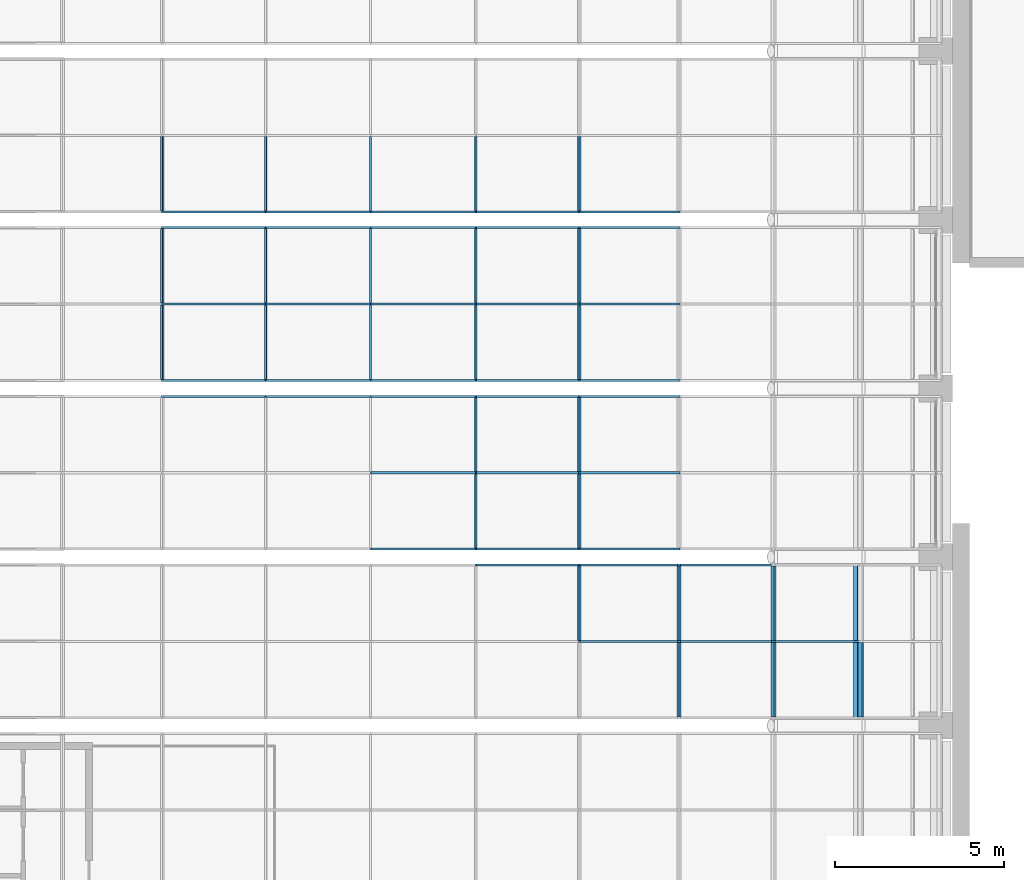
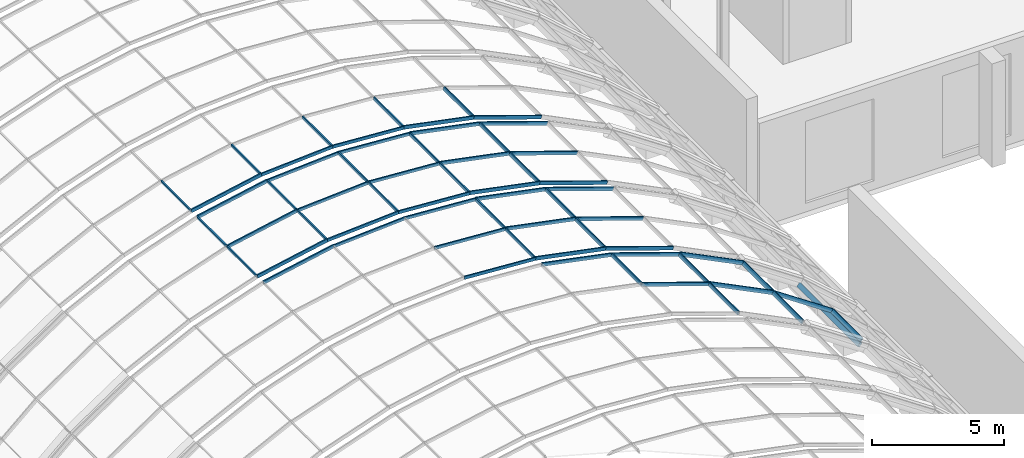
# One storey, part 55 of 182: 63 members, 4 elements without a shape of their own.
"""IFC4 building model written with IfcOpenShell, lengths in metres."""

from ifc_helpers import new_model, si_unit, direction, frame, origin, origin_2d, place, context, subcontext, project, spatial, rectangle, hollow_rectangle, extrude, material, material_profile, profile_set, type_object, element, aggregate, save


model = new_model("IFC4")

# Units and contexts
model_context = context("Model", 3, precision=1e-05, world=origin(), true_north=direction((0.0, 1.0)))
body_context = subcontext(model_context, "Body", "Model", "MODEL_VIEW")
ifc_project = project(units=[si_unit("LENGTHUNIT", "METRE"), si_unit("AREAUNIT", "SQUARE_METRE"), si_unit("VOLUMEUNIT", "CUBIC_METRE"), si_unit("PLANEANGLEUNIT", "RADIAN"), si_unit("MASSUNIT", "GRAM", prefix="KILO")], contexts=[model_context])

# Site, building, storey
site_placement = place(None, origin())
site = spatial("IfcSite", under=ifc_project, at=site_placement, CompositionType="ELEMENT")
building_placement = place(site_placement, origin())
building = spatial("IfcBuilding", under=site, at=building_placement, Name="Okhra Congress Centre", CompositionType="ELEMENT")
storey_placement = place(building_placement, frame((0.0, 0.0, 7.199951171875)))
storey = spatial("IfcBuildingStorey", under=building, at=storey_placement, Name="L01", CompositionType="ELEMENT", Elevation=7.199951171875)

# Curtain wall, members
ifc_material_1 = material(Name="Aluminium frame with triple glazing", Category="aluminium")
curtain_wall_type = type_object("IfcCurtainWallType", Name="Glazed vault bay curtain wall", PredefinedType="NOTDEFINED", material=ifc_material_1)
curtain_wall_1_placement = place(storey_placement, origin())
curtain_wall_1 = element("IfcCurtainWall", 1, at=curtain_wall_1_placement, inside=storey, type_object=curtain_wall_type, Name="Vault glazing bay 14", PredefinedType="NOTDEFINED")
ifc_material_2 = material(Name="Aluminium alloy 6063", Category="aluminium")
ifc_material_profile_1 = material_profile(ifc_material_2, rectangle(XDim=0.06005859375, YDim=0.139892578125, at=origin_2d()), Name="AL 60x140")
ifc_profile_set_1 = profile_set([ifc_material_profile_1], Name="Aluminium alloy 6063")
member_type_1 = type_object("IfcMemberType", Name="Aluminium mullion 60x140", PredefinedType="MULLION", material=ifc_profile_set_1)
member_1_placement = place(storey_placement, frame((172.25, 141.233154296875, 8.945068359375), z_axis=(0.997826129775, 0.0, -0.065901553385), x_axis=(0.0, 1.0, 0.0)))
member_1 = element("IfcMember", 2, at=member_1_placement, type_object=member_type_1, Name="Vault mullion 14.1.7", PredefinedType="MULLION", context=body_context, shape_type="SweptSolid", body=[
    extrude(rectangle(XDim=0.06005859375, YDim=0.139892578125, at=origin_2d()), origin(), (0.0, 0.0, 1.0), 3.123046875),
])
member_2_placement = place(storey_placement, frame((172.25, 143.5, 8.945068359375), z_axis=(0.997826129775, 0.0, -0.065901553385), x_axis=(0.0, 1.0, 0.0)))
member_2 = element("IfcMember", 3, at=member_2_placement, type_object=member_type_1, Name="Vault mullion 14.2.7", PredefinedType="MULLION", context=body_context, shape_type="SweptSolid", body=[
    extrude(rectangle(XDim=0.06005859375, YDim=0.139892578125, at=origin_2d()), origin(), (0.0, 0.0, 1.0), 3.123046875),
])
member_3_placement = place(storey_placement, frame((169.1337890625, 145.766845703125, 8.7392578125), z_axis=(0.997826129775, 0.0, 0.065901553385), x_axis=(0.0, 1.0, 0.0)))
member_3 = element("IfcMember", 4, at=member_3_placement, type_object=member_type_1, Name="Vault mullion 14.3.6", PredefinedType="MULLION", context=body_context, shape_type="SweptSolid", body=[
    extrude(rectangle(XDim=0.06005859375, YDim=0.139892578125, at=origin_2d()), origin(), (0.0, 0.0, 1.0), 3.123046875),
])
member_4_placement = place(storey_placement, frame((172.25, 145.766845703125, 8.945068359375), z_axis=(0.997826129775, 0.0, -0.065901553385), x_axis=(0.0, 1.0, 0.0)))
member_4 = element("IfcMember", 5, at=member_4_placement, type_object=member_type_1, Name="Vault mullion 14.3.7", PredefinedType="MULLION", context=body_context, shape_type="SweptSolid", body=[
    extrude(rectangle(XDim=0.06005859375, YDim=0.139892578125, at=origin_2d()), origin(), (0.0, 0.0, 1.0), 3.123046875),
])

curtain_wall_2_placement = place(storey_placement, origin())
curtain_wall_2 = element("IfcCurtainWall", 6, at=curtain_wall_2_placement, inside=storey, type_object=curtain_wall_type, Name="Vault glazing bay 15", PredefinedType="NOTDEFINED")
member_5_placement = place(storey_placement, frame((169.1337890625, 146.233154296875, 8.7392578125), z_axis=(0.997826129775, 0.0, 0.065901553385), x_axis=(0.0, 1.0, 0.0)))
member_5 = element("IfcMember", 7, at=member_5_placement, type_object=member_type_1, Name="Vault mullion 15.1.6", PredefinedType="MULLION", context=body_context, shape_type="SweptSolid", body=[
    extrude(rectangle(XDim=0.06005859375, YDim=0.139892578125, at=origin_2d()), origin(), (0.0, 0.0, 1.0), 3.123046875),
])
member_6_placement = place(storey_placement, frame((172.25, 146.233154296875, 8.945068359375), z_axis=(0.997826129775, 0.0, -0.065901553385), x_axis=(0.0, 1.0, 0.0)))
member_6 = element("IfcMember", 8, at=member_6_placement, type_object=member_type_1, Name="Vault mullion 15.1.7", PredefinedType="MULLION", context=body_context, shape_type="SweptSolid", body=[
    extrude(rectangle(XDim=0.06005859375, YDim=0.139892578125, at=origin_2d()), origin(), (0.0, 0.0, 1.0), 3.123046875),
])
member_7_placement = place(storey_placement, frame((169.1337890625, 148.5, 8.7392578125), z_axis=(0.997826129775, 0.0, 0.065901553385), x_axis=(0.0, 1.0, 0.0)))
member_7 = element("IfcMember", 9, at=member_7_placement, type_object=member_type_1, Name="Vault mullion 15.2.6", PredefinedType="MULLION", context=body_context, shape_type="SweptSolid", body=[
    extrude(rectangle(XDim=0.06005859375, YDim=0.139892578125, at=origin_2d()), origin(), (0.0, 0.0, 1.0), 3.123046875),
])
member_8_placement = place(storey_placement, frame((172.25, 148.5, 8.945068359375), z_axis=(0.997826129775, 0.0, -0.065901553385), x_axis=(0.0, 1.0, 0.0)))
member_8 = element("IfcMember", 10, at=member_8_placement, type_object=member_type_1, Name="Vault mullion 15.2.7", PredefinedType="MULLION", context=body_context, shape_type="SweptSolid", body=[
    extrude(rectangle(XDim=0.06005859375, YDim=0.139892578125, at=origin_2d()), origin(), (0.0, 0.0, 1.0), 3.123046875),
])
member_9_placement = place(storey_placement, frame((169.1337890625, 150.766845703125, 8.7392578125), z_axis=(0.997826129775, 0.0, 0.065901553385), x_axis=(0.0, 1.0, 0.0)))
member_9 = element("IfcMember", 11, at=member_9_placement, type_object=member_type_1, Name="Vault mullion 15.3.6", PredefinedType="MULLION", context=body_context, shape_type="SweptSolid", body=[
    extrude(rectangle(XDim=0.06005859375, YDim=0.139892578125, at=origin_2d()), origin(), (0.0, 0.0, 1.0), 3.123046875),
])
member_10_placement = place(storey_placement, frame((172.25, 150.766845703125, 8.945068359375), z_axis=(0.997826129775, 0.0, -0.065901553385), x_axis=(0.0, 1.0, 0.0)))
member_10 = element("IfcMember", 12, at=member_10_placement, type_object=member_type_1, Name="Vault mullion 15.3.7", PredefinedType="MULLION", context=body_context, shape_type="SweptSolid", body=[
    extrude(rectangle(XDim=0.06005859375, YDim=0.139892578125, at=origin_2d()), origin(), (0.0, 0.0, 1.0), 3.123046875),
])

curtain_wall_3_placement = place(storey_placement, origin())
curtain_wall_3 = element("IfcCurtainWall", 13, at=curtain_wall_3_placement, inside=storey, type_object=curtain_wall_type, Name="Vault glazing bay 16", PredefinedType="NOTDEFINED")
member_11_placement = place(storey_placement, frame((169.1337890625, 151.233154296875, 8.7392578125), z_axis=(0.997826129775, 0.0, 0.065901553385), x_axis=(0.0, 1.0, 0.0)))
member_11 = element("IfcMember", 14, at=member_11_placement, type_object=member_type_1, Name="Vault mullion 16.1.6", PredefinedType="MULLION", context=body_context, shape_type="SweptSolid", body=[
    extrude(rectangle(XDim=0.06005859375, YDim=0.139892578125, at=origin_2d()), origin(), (0.0, 0.0, 1.0), 3.123046875),
])
member_12_placement = place(storey_placement, frame((172.25, 151.233154296875, 8.945068359375), z_axis=(0.997826129775, 0.0, -0.065901553385), x_axis=(0.0, 1.0, 0.0)))
member_12 = element("IfcMember", 15, at=member_12_placement, type_object=member_type_1, Name="Vault mullion 16.1.7", PredefinedType="MULLION", context=body_context, shape_type="SweptSolid", body=[
    extrude(rectangle(XDim=0.06005859375, YDim=0.139892578125, at=origin_2d()), origin(), (0.0, 0.0, 1.0), 3.123046875),
])

curtain_wall_4_placement = place(storey_placement, origin())
curtain_wall_4 = element("IfcCurtainWall", 16, at=curtain_wall_4_placement, inside=storey, type_object=curtain_wall_type, Name="Vault glazing bay 13", PredefinedType="NOTDEFINED")
ifc_material_profile_2 = material_profile(ifc_material_2, rectangle(XDim=0.06005859375, YDim=0.159912109375, at=origin_2d()), Name="AL 60x160")
ifc_profile_set_2 = profile_set([ifc_material_profile_2], Name="Aluminium alloy 6063")
member_type_2 = type_object("IfcMemberType", Name="Aluminium mullion 60x160", PredefinedType="MULLION", material=ifc_profile_set_2)
member_13_placement = place(storey_placement, frame((178.430908203125, 138.5, 8.134765625), z_axis=(0.946065064306, 0.0, -0.323976687587), x_axis=(0.0, 1.0, 0.0)))
member_13 = element("IfcMember", 17, at=member_13_placement, type_object=member_type_2, Name="Vault mullion 13.2.9", PredefinedType="MULLION", context=body_context, shape_type="SweptSolid", body=[
    extrude(rectangle(XDim=0.06005859375, YDim=0.159912109375, at=origin_2d()), origin(), (0.0, 0.0, 1.0), 3.124267578125),
])
member_14_placement = place(storey_placement, frame((175.367431640625, 140.766845703125, 8.7490234375), z_axis=(0.980484387086, 0.0, -0.196596965087), x_axis=(0.0, 1.0, 0.0)))
member_14 = element("IfcMember", 18, at=member_14_placement, type_object=member_type_2, Name="Vault mullion 13.3.8", PredefinedType="MULLION", context=body_context, shape_type="SweptSolid", body=[
    extrude(rectangle(XDim=0.06005859375, YDim=0.159912109375, at=origin_2d()), origin(), (0.0, 0.0, 1.0), 3.12451171875),
])
member_15_placement = place(storey_placement, frame((178.430908203125, 140.766845703125, 8.134765625), z_axis=(0.946065064306, 0.0, -0.323976687587), x_axis=(0.0, 1.0, 0.0)))
member_15 = element("IfcMember", 19, at=member_15_placement, type_object=member_type_2, Name="Vault mullion 13.3.9", PredefinedType="MULLION", context=body_context, shape_type="SweptSolid", body=[
    extrude(rectangle(XDim=0.06005859375, YDim=0.159912109375, at=origin_2d()), origin(), (0.0, 0.0, 1.0), 3.124267578125),
])

# Member
member_16_placement = place(storey_placement, frame((175.367431640625, 141.233154296875, 8.7490234375), z_axis=(0.980484387086, 0.0, -0.196596965087), x_axis=(0.0, 1.0, 0.0)))
member_16 = element("IfcMember", 20, at=member_16_placement, type_object=member_type_2, Name="Vault mullion 14.1.8", PredefinedType="MULLION", context=body_context, shape_type="SweptSolid", body=[
    extrude(rectangle(XDim=0.06005859375, YDim=0.159912109375, at=origin_2d()), origin(), (0.0, 0.0, 1.0), 3.12451171875),
])

member_17_placement = place(storey_placement, frame((178.430908203125, 141.233154296875, 8.134765625), z_axis=(0.946065064306, 0.0, -0.323976687587), x_axis=(0.0, 1.0, 0.0)))
member_17 = element("IfcMember", 21, at=member_17_placement, type_object=member_type_2, Name="Vault mullion 14.1.9", PredefinedType="MULLION", context=body_context, shape_type="SweptSolid", body=[
    extrude(rectangle(XDim=0.06005859375, YDim=0.159912109375, at=origin_2d()), origin(), (0.0, 0.0, 1.0), 3.124267578125),
])

member_18_placement = place(storey_placement, frame((175.367431640625, 143.5, 8.7490234375), z_axis=(0.980484387086, 0.0, -0.196596965087), x_axis=(0.0, 1.0, 0.0)))
member_18 = element("IfcMember", 22, at=member_18_placement, type_object=member_type_2, Name="Vault mullion 14.2.8", PredefinedType="MULLION", context=body_context, shape_type="SweptSolid", body=[
    extrude(rectangle(XDim=0.06005859375, YDim=0.159912109375, at=origin_2d()), origin(), (0.0, 0.0, 1.0), 3.12451171875),
])

member_19_placement = place(storey_placement, frame((178.430908203125, 143.5, 8.134765625), z_axis=(0.946065064306, 0.0, -0.323976687587), x_axis=(0.0, 1.0, 0.0)))
member_19 = element("IfcMember", 23, at=member_19_placement, type_object=member_type_2, Name="Vault mullion 14.2.9", PredefinedType="MULLION", context=body_context, shape_type="SweptSolid", body=[
    extrude(rectangle(XDim=0.06005859375, YDim=0.159912109375, at=origin_2d()), origin(), (0.0, 0.0, 1.0), 3.124267578125),
])

member_20_placement = place(storey_placement, frame((166.069091796875, 145.766845703125, 8.134765625), z_axis=(0.980484387086, 0.0, 0.196596965087), x_axis=(0.0, 1.0, 0.0)))
member_20 = element("IfcMember", 24, at=member_20_placement, type_object=member_type_2, Name="Vault mullion 14.3.5", PredefinedType="MULLION", context=body_context, shape_type="SweptSolid", body=[
    extrude(rectangle(XDim=0.06005859375, YDim=0.159912109375, at=origin_2d()), origin(), (0.0, 0.0, 1.0), 3.12451171875),
])

member_21_placement = place(storey_placement, frame((175.367431640625, 145.766845703125, 8.7490234375), z_axis=(0.980484387086, 0.0, -0.196596965087), x_axis=(0.0, 1.0, 0.0)))
member_21 = element("IfcMember", 25, at=member_21_placement, type_object=member_type_2, Name="Vault mullion 14.3.8", PredefinedType="MULLION", context=body_context, shape_type="SweptSolid", body=[
    extrude(rectangle(XDim=0.06005859375, YDim=0.159912109375, at=origin_2d()), origin(), (0.0, 0.0, 1.0), 3.12451171875),
])

member_22_placement = place(storey_placement, frame((178.430908203125, 145.766845703125, 8.134765625), z_axis=(0.946065064306, 0.0, -0.323976687587), x_axis=(0.0, 1.0, 0.0)))
member_22 = element("IfcMember", 26, at=member_22_placement, type_object=member_type_2, Name="Vault mullion 14.3.9", PredefinedType="MULLION", context=body_context, shape_type="SweptSolid", body=[
    extrude(rectangle(XDim=0.06005859375, YDim=0.159912109375, at=origin_2d()), origin(), (0.0, 0.0, 1.0), 3.124267578125),
])

member_23_placement = place(storey_placement, frame((166.069091796875, 146.233154296875, 8.134765625), z_axis=(0.980484387086, 0.0, 0.196596965087), x_axis=(0.0, 1.0, 0.0)))
member_23 = element("IfcMember", 27, at=member_23_placement, type_object=member_type_2, Name="Vault mullion 15.1.5", PredefinedType="MULLION", context=body_context, shape_type="SweptSolid", body=[
    extrude(rectangle(XDim=0.06005859375, YDim=0.159912109375, at=origin_2d()), origin(), (0.0, 0.0, 1.0), 3.12451171875),
])

member_24_placement = place(storey_placement, frame((175.367431640625, 146.233154296875, 8.7490234375), z_axis=(0.980484387086, 0.0, -0.196596965087), x_axis=(0.0, 1.0, 0.0)))
member_24 = element("IfcMember", 28, at=member_24_placement, type_object=member_type_2, Name="Vault mullion 15.1.8", PredefinedType="MULLION", context=body_context, shape_type="SweptSolid", body=[
    extrude(rectangle(XDim=0.06005859375, YDim=0.159912109375, at=origin_2d()), origin(), (0.0, 0.0, 1.0), 3.12451171875),
])

member_25_placement = place(storey_placement, frame((178.430908203125, 146.233154296875, 8.134765625), z_axis=(0.946065064306, 0.0, -0.323976687587), x_axis=(0.0, 1.0, 0.0)))
member_25 = element("IfcMember", 29, at=member_25_placement, type_object=member_type_2, Name="Vault mullion 15.1.9", PredefinedType="MULLION", context=body_context, shape_type="SweptSolid", body=[
    extrude(rectangle(XDim=0.06005859375, YDim=0.159912109375, at=origin_2d()), origin(), (0.0, 0.0, 1.0), 3.124267578125),
])

member_26_placement = place(storey_placement, frame((166.069091796875, 148.5, 8.134765625), z_axis=(0.980484387086, 0.0, 0.196596965087), x_axis=(0.0, 1.0, 0.0)))
member_26 = element("IfcMember", 30, at=member_26_placement, type_object=member_type_2, Name="Vault mullion 15.2.5", PredefinedType="MULLION", context=body_context, shape_type="SweptSolid", body=[
    extrude(rectangle(XDim=0.06005859375, YDim=0.159912109375, at=origin_2d()), origin(), (0.0, 0.0, 1.0), 3.12451171875),
])

member_27_placement = place(storey_placement, frame((175.367431640625, 148.5, 8.7490234375), z_axis=(0.980484387086, 0.0, -0.196596965087), x_axis=(0.0, 1.0, 0.0)))
member_27 = element("IfcMember", 31, at=member_27_placement, type_object=member_type_2, Name="Vault mullion 15.2.8", PredefinedType="MULLION", context=body_context, shape_type="SweptSolid", body=[
    extrude(rectangle(XDim=0.06005859375, YDim=0.159912109375, at=origin_2d()), origin(), (0.0, 0.0, 1.0), 3.12451171875),
])

member_28_placement = place(storey_placement, frame((178.430908203125, 148.5, 8.134765625), z_axis=(0.946065064306, 0.0, -0.323976687587), x_axis=(0.0, 1.0, 0.0)))
member_28 = element("IfcMember", 32, at=member_28_placement, type_object=member_type_2, Name="Vault mullion 15.2.9", PredefinedType="MULLION", context=body_context, shape_type="SweptSolid", body=[
    extrude(rectangle(XDim=0.06005859375, YDim=0.159912109375, at=origin_2d()), origin(), (0.0, 0.0, 1.0), 3.124267578125),
])

member_29_placement = place(storey_placement, frame((166.069091796875, 150.766845703125, 8.134765625), z_axis=(0.980484387086, 0.0, 0.196596965087), x_axis=(0.0, 1.0, 0.0)))
member_29 = element("IfcMember", 33, at=member_29_placement, type_object=member_type_2, Name="Vault mullion 15.3.5", PredefinedType="MULLION", context=body_context, shape_type="SweptSolid", body=[
    extrude(rectangle(XDim=0.06005859375, YDim=0.159912109375, at=origin_2d()), origin(), (0.0, 0.0, 1.0), 3.12451171875),
])

member_30_placement = place(storey_placement, frame((175.367431640625, 150.766845703125, 8.7490234375), z_axis=(0.980484387086, 0.0, -0.196596965087), x_axis=(0.0, 1.0, 0.0)))
member_30 = element("IfcMember", 34, at=member_30_placement, type_object=member_type_2, Name="Vault mullion 15.3.8", PredefinedType="MULLION", context=body_context, shape_type="SweptSolid", body=[
    extrude(rectangle(XDim=0.06005859375, YDim=0.159912109375, at=origin_2d()), origin(), (0.0, 0.0, 1.0), 3.12451171875),
])

member_31_placement = place(storey_placement, frame((178.430908203125, 150.766845703125, 8.134765625), z_axis=(0.946065064306, 0.0, -0.323976687587), x_axis=(0.0, 1.0, 0.0)))
member_31 = element("IfcMember", 35, at=member_31_placement, type_object=member_type_2, Name="Vault mullion 15.3.9", PredefinedType="MULLION", context=body_context, shape_type="SweptSolid", body=[
    extrude(rectangle(XDim=0.06005859375, YDim=0.159912109375, at=origin_2d()), origin(), (0.0, 0.0, 1.0), 3.124267578125),
])

member_32_placement = place(storey_placement, frame((166.069091796875, 151.233154296875, 8.134765625), z_axis=(0.980484387086, 0.0, 0.196596965087), x_axis=(0.0, 1.0, 0.0)))
member_32 = element("IfcMember", 36, at=member_32_placement, type_object=member_type_2, Name="Vault mullion 16.1.5", PredefinedType="MULLION", context=body_context, shape_type="SweptSolid", body=[
    extrude(rectangle(XDim=0.06005859375, YDim=0.159912109375, at=origin_2d()), origin(), (0.0, 0.0, 1.0), 3.12451171875),
])

member_33_placement = place(storey_placement, frame((175.367431640625, 151.233154296875, 8.7490234375), z_axis=(0.980484387086, 0.0, -0.196596965087), x_axis=(0.0, 1.0, 0.0)))
member_33 = element("IfcMember", 37, at=member_33_placement, type_object=member_type_2, Name="Vault mullion 16.1.8", PredefinedType="MULLION", context=body_context, shape_type="SweptSolid", body=[
    extrude(rectangle(XDim=0.06005859375, YDim=0.159912109375, at=origin_2d()), origin(), (0.0, 0.0, 1.0), 3.12451171875),
])

member_34_placement = place(storey_placement, frame((178.430908203125, 151.233154296875, 8.134765625), z_axis=(0.946065064306, 0.0, -0.323976687587), x_axis=(0.0, 1.0, 0.0)))
member_34 = element("IfcMember", 38, at=member_34_placement, type_object=member_type_2, Name="Vault mullion 16.1.9", PredefinedType="MULLION", context=body_context, shape_type="SweptSolid", body=[
    extrude(rectangle(XDim=0.06005859375, YDim=0.159912109375, at=origin_2d()), origin(), (0.0, 0.0, 1.0), 3.124267578125),
])

ifc_material_profile_3 = material_profile(ifc_material_2, rectangle(XDim=0.06005859375, YDim=0.179931640625, at=origin_2d()), Name="AL 60x180")
ifc_profile_set_3 = profile_set([ifc_material_profile_3], Name="Aluminium alloy 6063")
member_type_3 = type_object("IfcMemberType", Name="Aluminium mullion 60x180", PredefinedType="MULLION", material=ifc_profile_set_3)
member_35_placement = place(storey_placement, frame((181.390625, 138.5, 7.1318359375), z_axis=(0.895253656313, 0.0, -0.445556832354), x_axis=(0.0, 1.0, 0.0)))
member_35 = element("IfcMember", 39, at=member_35_placement, type_object=member_type_3, Name="Vault mullion 13.2.10", PredefinedType="MULLION", context=body_context, shape_type="SweptSolid", body=[
    extrude(rectangle(XDim=0.06005859375, YDim=0.179931640625, at=origin_2d()), origin(), (0.0, 0.0, 1.0), 3.12548828125),
])

member_36_placement = place(storey_placement, frame((184.188720703125, 138.5, 5.7392578125), z_axis=(0.828827846338, 0.0, -0.559503709671), x_axis=(0.0, 1.0, 0.0)))
member_36 = element("IfcMember", 40, at=member_36_placement, type_object=member_type_3, Name="Vault mullion 13.2.11", PredefinedType="MULLION", context=body_context, shape_type="SweptSolid", body=[
    extrude(rectangle(XDim=0.06005859375, YDim=0.179931640625, at=origin_2d()), origin(), (0.0, 0.0, 1.0), 3.12548828125),
])

member_37_placement = place(storey_placement, frame((181.390625, 140.766845703125, 7.1318359375), z_axis=(0.895253656313, 0.0, -0.445556832354), x_axis=(0.0, 1.0, 0.0)))
member_37 = element("IfcMember", 41, at=member_37_placement, type_object=member_type_3, Name="Vault mullion 13.3.10", PredefinedType="MULLION", context=body_context, shape_type="SweptSolid", body=[
    extrude(rectangle(XDim=0.06005859375, YDim=0.179931640625, at=origin_2d()), origin(), (0.0, 0.0, 1.0), 3.12548828125),
])

ifc_material_profile_4 = material_profile(ifc_material_2, rectangle(XDim=0.06005859375, YDim=0.139892578125, at=origin_2d()), Name="AL 60x140 transom")
ifc_profile_set_4 = profile_set([ifc_material_profile_4], Name="Aluminium alloy 6063")
member_type_4 = type_object("IfcMemberType", Name="Aluminium transom 60x140", PredefinedType="USERDEFINED", material=ifc_profile_set_4)
member_38_placement = place(storey_placement, frame((175.3662109375, 141.26318359375, 8.7392578125), z_axis=(0.0, 1.0, 0.0), x_axis=(-0.991307202734, 0.0, 0.131567586459)))
member_38 = element("IfcMember", 42, at=member_38_placement, type_object=member_type_4, Name="Vault transom 14.1.8", ObjectType="TRANSOM", PredefinedType="USERDEFINED", context=body_context, shape_type="SweptSolid", body=[
    extrude(rectangle(XDim=0.06005859375, YDim=0.139892578125, at=origin_2d()), origin(), (0.0, 0.0, 1.0), 2.206787109375),
])

member_39_placement = place(storey_placement, frame((175.3662109375, 143.530029296875, 8.7392578125), z_axis=(0.0, 1.0, 0.0), x_axis=(-0.991307202734, 0.0, 0.131567586459)))
member_39 = element("IfcMember", 43, at=member_39_placement, type_object=member_type_4, Name="Vault transom 14.2.8", ObjectType="TRANSOM", PredefinedType="USERDEFINED", context=body_context, shape_type="SweptSolid", body=[
    extrude(rectangle(XDim=0.06005859375, YDim=0.139892578125, at=origin_2d()), origin(), (0.0, 0.0, 1.0), 2.206787109375),
])

member_40_placement = place(storey_placement, frame((169.1337890625, 146.26318359375, 8.7392578125), z_axis=(0.0, 1.0, 0.0), x_axis=(-0.991307202734, 0.0, -0.131567586459)))
member_40 = element("IfcMember", 44, at=member_40_placement, type_object=member_type_4, Name="Vault transom 15.1.6", ObjectType="TRANSOM", PredefinedType="USERDEFINED", context=body_context, shape_type="SweptSolid", body=[
    extrude(rectangle(XDim=0.06005859375, YDim=0.139892578125, at=origin_2d()), origin(), (0.0, 0.0, 1.0), 2.206787109375),
])

member_41_placement = place(storey_placement, frame((172.25, 146.26318359375, 8.945068359375), z_axis=(0.0, 1.0, 0.0), x_axis=(-1.0, 0.0, 0.0)))
member_41 = element("IfcMember", 45, at=member_41_placement, type_object=member_type_4, Name="Vault transom 15.1.7", ObjectType="TRANSOM", PredefinedType="USERDEFINED", context=body_context, shape_type="SweptSolid", body=[
    extrude(rectangle(XDim=0.06005859375, YDim=0.139892578125, at=origin_2d()), origin(), (0.0, 0.0, 1.0), 2.206787109375),
])

member_42_placement = place(storey_placement, frame((175.3662109375, 146.26318359375, 8.7392578125), z_axis=(0.0, 1.0, 0.0), x_axis=(-0.991307202734, 0.0, 0.131567586459)))
member_42 = element("IfcMember", 46, at=member_42_placement, type_object=member_type_4, Name="Vault transom 15.1.8", ObjectType="TRANSOM", PredefinedType="USERDEFINED", context=body_context, shape_type="SweptSolid", body=[
    extrude(rectangle(XDim=0.06005859375, YDim=0.139892578125, at=origin_2d()), origin(), (0.0, 0.0, 1.0), 2.206787109375),
])

member_43_placement = place(storey_placement, frame((169.1337890625, 148.530029296875, 8.7392578125), z_axis=(0.0, 1.0, 0.0), x_axis=(-0.991307202734, 0.0, -0.131567586459)))
member_43 = element("IfcMember", 47, at=member_43_placement, type_object=member_type_4, Name="Vault transom 15.2.6", ObjectType="TRANSOM", PredefinedType="USERDEFINED", context=body_context, shape_type="SweptSolid", body=[
    extrude(rectangle(XDim=0.06005859375, YDim=0.139892578125, at=origin_2d()), origin(), (0.0, 0.0, 1.0), 2.206787109375),
])

member_44_placement = place(storey_placement, frame((172.25, 148.530029296875, 8.945068359375), z_axis=(0.0, 1.0, 0.0), x_axis=(-1.0, 0.0, 0.0)))
member_44 = element("IfcMember", 48, at=member_44_placement, type_object=member_type_4, Name="Vault transom 15.2.7", ObjectType="TRANSOM", PredefinedType="USERDEFINED", context=body_context, shape_type="SweptSolid", body=[
    extrude(rectangle(XDim=0.06005859375, YDim=0.139892578125, at=origin_2d()), origin(), (0.0, 0.0, 1.0), 2.206787109375),
])

member_45_placement = place(storey_placement, frame((175.3662109375, 148.530029296875, 8.7392578125), z_axis=(0.0, 1.0, 0.0), x_axis=(-0.991307202734, 0.0, 0.131567586459)))
member_45 = element("IfcMember", 49, at=member_45_placement, type_object=member_type_4, Name="Vault transom 15.2.8", ObjectType="TRANSOM", PredefinedType="USERDEFINED", context=body_context, shape_type="SweptSolid", body=[
    extrude(rectangle(XDim=0.06005859375, YDim=0.139892578125, at=origin_2d()), origin(), (0.0, 0.0, 1.0), 2.206787109375),
])

member_46_placement = place(storey_placement, frame((169.1337890625, 151.26318359375, 8.7392578125), z_axis=(0.0, 1.0, 0.0), x_axis=(-0.991307202734, 0.0, -0.131567586459)))
member_46 = element("IfcMember", 50, at=member_46_placement, type_object=member_type_4, Name="Vault transom 16.1.6", ObjectType="TRANSOM", PredefinedType="USERDEFINED", context=body_context, shape_type="SweptSolid", body=[
    extrude(rectangle(XDim=0.06005859375, YDim=0.139892578125, at=origin_2d()), origin(), (0.0, 0.0, 1.0), 2.206787109375),
])

member_47_placement = place(storey_placement, frame((172.25, 151.26318359375, 8.945068359375), z_axis=(0.0, 1.0, 0.0), x_axis=(-1.0, 0.0, 0.0)))
member_47 = element("IfcMember", 51, at=member_47_placement, type_object=member_type_4, Name="Vault transom 16.1.7", ObjectType="TRANSOM", PredefinedType="USERDEFINED", context=body_context, shape_type="SweptSolid", body=[
    extrude(rectangle(XDim=0.06005859375, YDim=0.139892578125, at=origin_2d()), origin(), (0.0, 0.0, 1.0), 2.206787109375),
])

member_48_placement = place(storey_placement, frame((175.3662109375, 151.26318359375, 8.7392578125), z_axis=(0.0, 1.0, 0.0), x_axis=(-0.991307202734, 0.0, 0.131567586459)))
member_48 = element("IfcMember", 52, at=member_48_placement, type_object=member_type_4, Name="Vault transom 16.1.8", ObjectType="TRANSOM", PredefinedType="USERDEFINED", context=body_context, shape_type="SweptSolid", body=[
    extrude(rectangle(XDim=0.06005859375, YDim=0.139892578125, at=origin_2d()), origin(), (0.0, 0.0, 1.0), 2.206787109375),
])

ifc_material_profile_5 = material_profile(ifc_material_2, rectangle(XDim=0.06005859375, YDim=0.159912109375, at=origin_2d()), Name="AL 60x160 transom")
ifc_profile_set_5 = profile_set([ifc_material_profile_5], Name="Aluminium alloy 6063")
member_type_5 = type_object("IfcMemberType", Name="Aluminium transom 60x160", PredefinedType="USERDEFINED", material=ifc_profile_set_5)
member_49_placement = place(storey_placement, frame((181.38671875, 136.26318359375, 7.12255859375), z_axis=(0.0, 1.0, 0.0), x_axis=(-0.922668973833, 0.0, 0.38559300399)))
member_49 = element("IfcMember", 53, at=member_49_placement, type_object=member_type_5, Name="Vault transom 13.1.10", ObjectType="TRANSOM", PredefinedType="USERDEFINED", context=body_context, shape_type="SweptSolid", body=[
    extrude(rectangle(XDim=0.06005859375, YDim=0.159912109375, at=origin_2d()), origin(), (0.0, 0.0, 1.0), 2.206787109375),
])

member_50_placement = place(storey_placement, frame((178.430908203125, 138.530029296875, 8.134765625), z_axis=(0.0, 1.0, 0.0), x_axis=(-0.965379940391, 0.0, 0.260847792191)))
member_50 = element("IfcMember", 54, at=member_50_placement, type_object=member_type_5, Name="Vault transom 13.2.9", ObjectType="TRANSOM", PredefinedType="USERDEFINED", context=body_context, shape_type="SweptSolid", body=[
    extrude(rectangle(XDim=0.06005859375, YDim=0.159912109375, at=origin_2d()), origin(), (0.0, 0.0, 1.0), 2.206787109375),
])

member_51_placement = place(storey_placement, frame((181.38671875, 138.530029296875, 7.12255859375), z_axis=(0.0, 1.0, 0.0), x_axis=(-0.922668973833, 0.0, 0.38559300399)))
member_51 = element("IfcMember", 55, at=member_51_placement, type_object=member_type_5, Name="Vault transom 13.2.10", ObjectType="TRANSOM", PredefinedType="USERDEFINED", context=body_context, shape_type="SweptSolid", body=[
    extrude(rectangle(XDim=0.06005859375, YDim=0.159912109375, at=origin_2d()), origin(), (0.0, 0.0, 1.0), 2.206787109375),
])

member_52_placement = place(storey_placement, frame((178.430908203125, 141.26318359375, 8.134765625), z_axis=(0.0, 1.0, 0.0), x_axis=(-0.965379940391, 0.0, 0.260847792191)))
member_52 = element("IfcMember", 56, at=member_52_placement, type_object=member_type_5, Name="Vault transom 14.1.9", ObjectType="TRANSOM", PredefinedType="USERDEFINED", context=body_context, shape_type="SweptSolid", body=[
    extrude(rectangle(XDim=0.06005859375, YDim=0.159912109375, at=origin_2d()), origin(), (0.0, 0.0, 1.0), 2.206787109375),
])

member_53_placement = place(storey_placement, frame((178.430908203125, 143.530029296875, 8.134765625), z_axis=(0.0, 1.0, 0.0), x_axis=(-0.965379940391, 0.0, 0.260847792191)))
member_53 = element("IfcMember", 57, at=member_53_placement, type_object=member_type_5, Name="Vault transom 14.2.9", ObjectType="TRANSOM", PredefinedType="USERDEFINED", context=body_context, shape_type="SweptSolid", body=[
    extrude(rectangle(XDim=0.06005859375, YDim=0.159912109375, at=origin_2d()), origin(), (0.0, 0.0, 1.0), 2.206787109375),
])

aggregate(curtain_wall_1, [member_1, member_16, member_17, member_2, member_18, member_19, member_20, member_3, member_4, member_21, member_22, member_38, member_52, member_39, member_53])

member_54_placement = place(storey_placement, frame((166.069091796875, 146.26318359375, 8.134765625), z_axis=(0.0, 1.0, 0.0), x_axis=(-0.965379940391, 0.0, -0.260847792191)))
member_54 = element("IfcMember", 58, at=member_54_placement, type_object=member_type_5, Name="Vault transom 15.1.5", ObjectType="TRANSOM", PredefinedType="USERDEFINED", context=body_context, shape_type="SweptSolid", body=[
    extrude(rectangle(XDim=0.06005859375, YDim=0.159912109375, at=origin_2d()), origin(), (0.0, 0.0, 1.0), 2.206787109375),
])

member_55_placement = place(storey_placement, frame((178.430908203125, 146.26318359375, 8.134765625), z_axis=(0.0, 1.0, 0.0), x_axis=(-0.965379940391, 0.0, 0.260847792191)))
member_55 = element("IfcMember", 59, at=member_55_placement, type_object=member_type_5, Name="Vault transom 15.1.9", ObjectType="TRANSOM", PredefinedType="USERDEFINED", context=body_context, shape_type="SweptSolid", body=[
    extrude(rectangle(XDim=0.06005859375, YDim=0.159912109375, at=origin_2d()), origin(), (0.0, 0.0, 1.0), 2.206787109375),
])

member_56_placement = place(storey_placement, frame((166.069091796875, 148.530029296875, 8.134765625), z_axis=(0.0, 1.0, 0.0), x_axis=(-0.965379940391, 0.0, -0.260847792191)))
member_56 = element("IfcMember", 60, at=member_56_placement, type_object=member_type_5, Name="Vault transom 15.2.5", ObjectType="TRANSOM", PredefinedType="USERDEFINED", context=body_context, shape_type="SweptSolid", body=[
    extrude(rectangle(XDim=0.06005859375, YDim=0.159912109375, at=origin_2d()), origin(), (0.0, 0.0, 1.0), 2.206787109375),
])

member_57_placement = place(storey_placement, frame((178.430908203125, 148.530029296875, 8.134765625), z_axis=(0.0, 1.0, 0.0), x_axis=(-0.965379940391, 0.0, 0.260847792191)))
member_57 = element("IfcMember", 61, at=member_57_placement, type_object=member_type_5, Name="Vault transom 15.2.9", ObjectType="TRANSOM", PredefinedType="USERDEFINED", context=body_context, shape_type="SweptSolid", body=[
    extrude(rectangle(XDim=0.06005859375, YDim=0.159912109375, at=origin_2d()), origin(), (0.0, 0.0, 1.0), 2.206787109375),
])

aggregate(curtain_wall_2, [member_23, member_5, member_6, member_24, member_25, member_26, member_7, member_8, member_27, member_28, member_29, member_9, member_10, member_30, member_31, member_54, member_40, member_41, member_42, member_55, member_56, member_43, member_44, member_45, member_57])

member_58_placement = place(storey_placement, frame((166.069091796875, 151.26318359375, 8.134765625), z_axis=(0.0, 1.0, 0.0), x_axis=(-0.965379940391, 0.0, -0.260847792191)))
member_58 = element("IfcMember", 62, at=member_58_placement, type_object=member_type_5, Name="Vault transom 16.1.5", ObjectType="TRANSOM", PredefinedType="USERDEFINED", context=body_context, shape_type="SweptSolid", body=[
    extrude(rectangle(XDim=0.06005859375, YDim=0.159912109375, at=origin_2d()), origin(), (0.0, 0.0, 1.0), 2.206787109375),
])

member_59_placement = place(storey_placement, frame((178.430908203125, 151.26318359375, 8.134765625), z_axis=(0.0, 1.0, 0.0), x_axis=(-0.965379940391, 0.0, 0.260847792191)))
member_59 = element("IfcMember", 63, at=member_59_placement, type_object=member_type_5, Name="Vault transom 16.1.9", ObjectType="TRANSOM", PredefinedType="USERDEFINED", context=body_context, shape_type="SweptSolid", body=[
    extrude(rectangle(XDim=0.06005859375, YDim=0.159912109375, at=origin_2d()), origin(), (0.0, 0.0, 1.0), 2.206787109375),
])

aggregate(curtain_wall_3, [member_32, member_11, member_12, member_33, member_34, member_58, member_46, member_47, member_48, member_59])

ifc_material_profile_6 = material_profile(ifc_material_2, rectangle(XDim=0.06005859375, YDim=0.179931640625, at=origin_2d()), Name="AL 60x180 transom")
ifc_profile_set_6 = profile_set([ifc_material_profile_6], Name="Aluminium alloy 6063")
member_type_6 = type_object("IfcMemberType", Name="Aluminium transom 60x180", PredefinedType="USERDEFINED", material=ifc_profile_set_6)
member_60_placement = place(storey_placement, frame((184.188720703125, 136.26318359375, 5.7392578125), z_axis=(0.0, 1.0, 0.0), x_axis=(-0.86391685861, 0.0, 0.503634452167)))
member_60 = element("IfcMember", 64, at=member_60_placement, type_object=member_type_6, Name="Vault transom 13.1.11", ObjectType="TRANSOM", PredefinedType="USERDEFINED", context=body_context, shape_type="SweptSolid", body=[
    extrude(rectangle(XDim=0.06005859375, YDim=0.179931640625, at=origin_2d()), origin(), (0.0, 0.0, 1.0), 2.206787109375),
])

member_61_placement = place(storey_placement, frame((186.779296875, 136.26318359375, 3.990478515625), z_axis=(0.0, 1.0, 0.0), x_axis=(-0.790145035185, 0.0, 0.612919915954)))
member_61 = element("IfcMember", 65, at=member_61_placement, type_object=member_type_6, Name="Vault transom 13.1.12", ObjectType="TRANSOM", PredefinedType="USERDEFINED", context=body_context, shape_type="SweptSolid", body=[
    extrude(rectangle(XDim=0.06005859375, YDim=0.179931640625, at=origin_2d()), origin(), (0.0, 0.0, 1.0), 2.206787109375),
])

member_62_placement = place(storey_placement, frame((184.188720703125, 138.530029296875, 5.7392578125), z_axis=(0.0, 1.0, 0.0), x_axis=(-0.86391685861, 0.0, 0.503634452167)))
member_62 = element("IfcMember", 66, at=member_62_placement, type_object=member_type_6, Name="Vault transom 13.2.11", ObjectType="TRANSOM", PredefinedType="USERDEFINED", context=body_context, shape_type="SweptSolid", body=[
    extrude(rectangle(XDim=0.06005859375, YDim=0.179931640625, at=origin_2d()), origin(), (0.0, 0.0, 1.0), 2.206787109375),
])

aggregate(curtain_wall_4, [member_13, member_35, member_36, member_14, member_15, member_37, member_49, member_60, member_61, member_50, member_51, member_62])

ifc_material_3 = material(Name="Steel S355J2", Category="steel")
ifc_material_profile_7 = material_profile(ifc_material_3, hollow_rectangle(XDim=0.10009765625, YDim=0.199951171875, WallThickness=0.008056640625, at=origin_2d()), Name="RHS 200x100x8")
ifc_profile_set_7 = profile_set([ifc_material_profile_7], Name="Steel S355J2")
member_type_7 = type_object("IfcMemberType", Name="Steel purlin RHS 200x100x8", PredefinedType="PURLIN", material=ifc_profile_set_7)
member_63_placement = place(storey_placement, frame((186.662841796875, 136.203125, 3.84033203125), z_axis=(0.0, 1.0, 0.0), x_axis=(-0.790145035185, 0.0, 0.612919915954)))
element("IfcMember", 67, at=member_63_placement, inside=storey, type_object=member_type_7, Name="Vault purlin 13.11", PredefinedType="PURLIN", context=body_context, shape_type="SweptSolid", body=[
    extrude(hollow_rectangle(XDim=0.10009765625, YDim=0.199951171875, WallThickness=0.008056640625, at=origin_2d()), origin(), (0.0, 0.0, 1.0), 4.59375),
])

save(model, "model.ifc")
